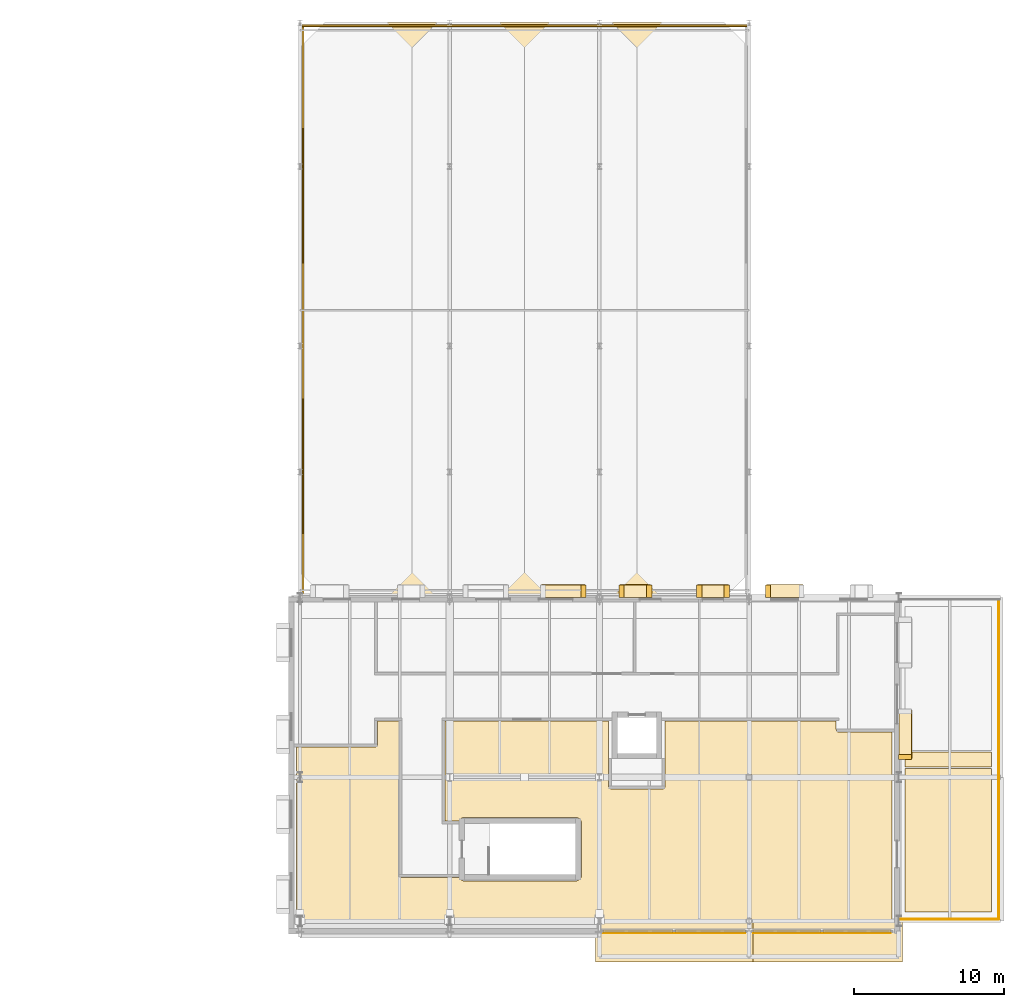
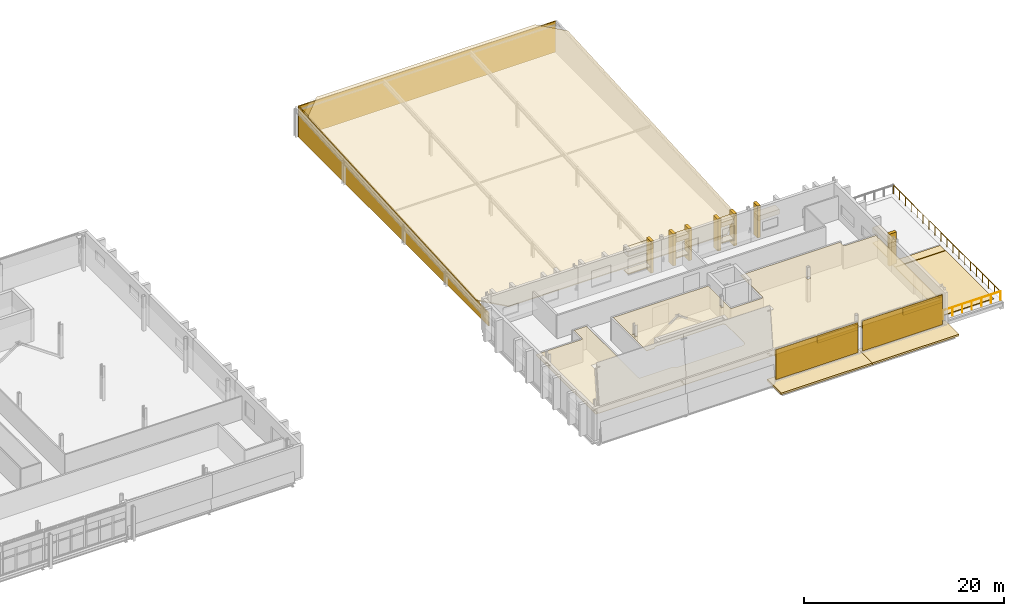
# One storey, part 56 of 57: 28 coverings, 2 railings, 2 shading devices.
"""IFC4 building model written with IfcOpenShell, lengths in metres."""

from ifc_helpers import new_model, si_unit, direction, frame, origin, origin_2d, place, context, subcontext, project, spatial, polyline, rectangle, circle, outline, extrude, material, layer, layer_set, type_object, element, save


model = new_model("IFC4")

# Units and contexts
model_context = context("Model", 3, precision=1e-05, world=origin(), true_north=direction((0.0, 1.0)))
body_context = subcontext(model_context, "Body", "Model", "MODEL_VIEW")
ifc_project = project(units=[si_unit("LENGTHUNIT", "METRE"), si_unit("AREAUNIT", "SQUARE_METRE"), si_unit("VOLUMEUNIT", "CUBIC_METRE"), si_unit("PLANEANGLEUNIT", "RADIAN"), si_unit("MASSUNIT", "GRAM", prefix="KILO")], contexts=[model_context])

# Site, building, storey
site_placement = place(None, origin())
site = spatial("IfcSite", under=ifc_project, at=site_placement, CompositionType="ELEMENT")
building_placement = place(site_placement, origin())
building = spatial("IfcBuilding", under=site, at=building_placement, Name="Zereglee Splitstone Museum", CompositionType="ELEMENT")
storey_placement = place(building_placement, frame((0.0, 0.0, 17.10009765625)))
storey = spatial("IfcBuildingStorey", under=building, at=storey_placement, Name="L03", CompositionType="ELEMENT", Elevation=17.10009765625)

# Coverings
ifc_material_1 = material(Name="Siberian larch acoustic timber ceiling", Category="wood")
ifc_layer_1 = layer(ifc_material_1, 0.06005859375)
ifc_layer_set_1 = layer_set([ifc_layer_1], Name="Siberian larch acoustic timber ceiling")
covering_type_1 = type_object("IfcCoveringType", Name="CLG-01", PredefinedType="CEILING", material=ifc_layer_set_1)
covering_1_placement = place(storey_placement, frame((0.0, 0.0, 2.760009765625)))
element("IfcCovering", 1, at=covering_1_placement, inside=storey, type_object=covering_type_1, Name="Acoustic Ceiling L03-051", PredefinedType="CEILING", context=body_context, shape_type="SweptSolid", body=[
    extrude(outline(polyline([(184.8798828125, 13.3701171875), (195.820068359375, 13.3701171875), (195.820068359375, 9.0), (195.820068359375, 8.9990234375), (195.82080078125, 8.9833984375), (195.821044921875, 8.9814453125), (195.8232421875, 8.9658203125), (195.82373046875, 8.9638671875), (195.827392578125, 8.94873046875), (195.828125, 8.94677734375), (195.833251953125, 8.931884765625), (195.833984375, 8.93017578125), (195.8408203125, 8.916015625), (195.841796875, 8.914306640625), (195.849853515625, 8.90087890625), (195.850830078125, 8.899169921875), (195.8603515625, 8.88671875), (195.861572265625, 8.885009765625), (195.8720703125, 8.873291015625), (195.873291015625, 8.8720703125), (195.885009765625, 8.861572265625), (195.88671875, 8.8603515625), (195.899169921875, 8.850830078125), (195.90087890625, 8.849853515625), (195.914306640625, 8.841796875), (195.916015625, 8.8408203125), (195.93017578125, 8.833984375), (195.931884765625, 8.833251953125), (195.94677734375, 8.828125), (195.94873046875, 8.827392578125), (195.9638671875, 8.82373046875), (195.9658203125, 8.8232421875), (195.9814453125, 8.821044921875), (195.9833984375, 8.82080078125), (195.9990234375, 8.820068359375), (196.0, 8.820068359375), (199.39990234375, 8.820068359375), (199.40087890625, 8.820068359375), (199.416748046875, 8.82080078125), (199.418701171875, 8.821044921875), (199.43408203125, 8.8232421875), (199.43603515625, 8.82373046875), (199.451416015625, 8.827392578125), (199.453125, 8.828125), (199.468017578125, 8.833251953125), (199.4697265625, 8.833984375), (199.48388671875, 8.8408203125), (199.485595703125, 8.841796875), (199.499267578125, 8.849853515625), (199.500732421875, 8.850830078125), (199.513427734375, 8.8603515625), (199.514892578125, 8.861572265625), (199.526611328125, 8.8720703125), (199.528076171875, 8.873291015625), (199.53857421875, 8.885009765625), (199.539794921875, 8.88671875), (199.549072265625, 8.899169921875), (199.55029296875, 8.90087890625), (199.558349609375, 8.914306640625), (199.55908203125, 8.916015625), (199.56591796875, 8.93017578125), (199.566650390625, 8.931884765625), (199.572021484375, 8.94677734375), (199.572509765625, 8.94873046875), (199.576416015625, 8.9638671875), (199.57666015625, 8.9658203125), (199.5791015625, 8.9814453125), (199.5791015625, 8.9833984375), (199.580078125, 8.9990234375), (199.580078125, 9.0), (199.580078125, 13.3701171875), (211.02001953125, 13.3701171875), (211.02001953125, 12.800048828125), (211.02001953125, 12.799072265625), (211.020751953125, 12.783203125), (211.02099609375, 12.781494140625), (211.023193359375, 12.765869140625), (211.023681640625, 12.763916015625), (211.027587890625, 12.748779296875), (211.028076171875, 12.746826171875), (211.033203125, 12.73193359375), (211.0341796875, 12.730224609375), (211.040771484375, 12.716064453125), (211.041748046875, 12.71435546875), (211.0498046875, 12.70068359375), (211.05078125, 12.69921875), (211.060302734375, 12.6865234375), (211.0615234375, 12.68505859375), (211.072021484375, 12.67333984375), (211.073486328125, 12.672119140625), (211.085205078125, 12.66162109375), (211.086669921875, 12.660400390625), (211.09912109375, 12.65087890625), (211.100830078125, 12.64990234375), (211.1142578125, 12.6416015625), (211.115966796875, 12.640869140625), (211.130126953125, 12.634033203125), (211.132080078125, 12.63330078125), (211.146728515625, 12.628173828125), (211.148681640625, 12.62744140625), (211.163818359375, 12.623779296875), (211.166015625, 12.623291015625), (211.181396484375, 12.62109375), (211.183349609375, 12.620849609375), (211.198974609375, 12.6201171875), (211.199951171875, 12.6201171875), (214.739990234375, 12.6201171875), (214.739990234375, -0.340087890625), (175.35791015625, -0.340087890625), (175.35791015625, -0.31005859375), (175.216552734375, -0.31005859375), (175.216552734375, 0.31005859375), (175.35791015625, 0.31005859375), (175.35791015625, 0.35791015625), (175.0419921875, 0.35791015625), (175.0419921875, 0.31005859375), (175.18359375, 0.31005859375), (175.18359375, -0.31005859375), (175.0419921875, -0.31005859375), (175.0419921875, -0.340087890625), (174.9599609375, -0.340087890625), (174.9599609375, 11.6201171875), (180.199951171875, 11.6201171875), (180.200927734375, 11.6201171875), (180.216796875, 11.620849609375), (180.218505859375, 11.62109375), (180.234130859375, 11.623291015625), (180.236083984375, 11.623779296875), (180.251220703125, 11.62744140625), (180.253173828125, 11.628173828125), (180.26806640625, 11.63330078125), (180.269775390625, 11.634033203125), (180.283935546875, 11.640869140625), (180.28564453125, 11.6416015625), (180.29931640625, 11.64990234375), (180.30078125, 11.65087890625), (180.3134765625, 11.660400390625), (180.31494140625, 11.66162109375), (180.32666015625, 11.672119140625), (180.327880859375, 11.67333984375), (180.33837890625, 11.68505859375), (180.339599609375, 11.6865234375), (180.34912109375, 11.69921875), (180.35009765625, 11.70068359375), (180.3583984375, 11.71435546875), (180.359130859375, 11.716064453125), (180.365966796875, 11.730224609375), (180.36669921875, 11.73193359375), (180.371826171875, 11.746826171875), (180.37255859375, 11.748779296875), (180.376220703125, 11.763916015625), (180.376708984375, 11.765869140625), (180.37890625, 11.781494140625), (180.379150390625, 11.783203125), (180.3798828125, 11.799072265625), (180.3798828125, 11.800048828125), (180.3798828125, 13.3701171875), (181.820068359375, 13.3701171875), (181.820068359375, 3.10009765625), (181.820068359375, 3.09912109375), (181.82080078125, 3.083251953125), (181.821044921875, 3.081298828125), (181.8232421875, 3.06591796875), (181.82373046875, 3.06396484375), (181.827392578125, 3.048583984375), (181.828125, 3.046875), (181.833251953125, 3.031982421875), (181.833984375, 3.0302734375), (181.8408203125, 3.01611328125), (181.841796875, 3.014404296875), (181.849853515625, 3.000732421875), (181.850830078125, 2.999267578125), (181.8603515625, 2.986572265625), (181.861572265625, 2.985107421875), (181.8720703125, 2.973388671875), (181.873291015625, 2.971923828125), (181.885009765625, 2.96142578125), (181.88671875, 2.960205078125), (181.899169921875, 2.950927734375), (181.90087890625, 2.94970703125), (181.914306640625, 2.941650390625), (181.916015625, 2.94091796875), (181.93017578125, 2.93408203125), (181.931884765625, 2.933349609375), (181.94677734375, 2.927978515625), (181.94873046875, 2.927490234375), (181.9638671875, 2.923583984375), (181.9658203125, 2.92333984375), (181.9814453125, 2.9208984375), (181.9833984375, 2.9208984375), (181.9990234375, 2.919921875), (182.0, 2.919921875), (185.821044921875, 2.919921875), (185.82958984375, 2.902099609375), (185.850830078125, 2.86669921875), (185.875244140625, 2.83349609375), (185.903076171875, 2.802978515625), (185.93359375, 2.775390625), (185.966796875, 2.750732421875), (186.001953125, 2.7294921875), (186.039306640625, 2.7119140625), (186.078125, 2.697998046875), (186.1181640625, 2.68798828125), (186.15869140625, 2.681884765625), (186.199951171875, 2.679931640625), (193.60009765625, 2.679931640625), (193.64111328125, 2.681884765625), (193.681884765625, 2.68798828125), (193.721923828125, 2.697998046875), (193.7607421875, 2.7119140625), (193.798095703125, 2.7294921875), (193.833251953125, 2.750732421875), (193.866455078125, 2.775390625), (193.89697265625, 2.802978515625), (193.9248046875, 2.83349609375), (193.94921875, 2.86669921875), (193.970458984375, 2.902099609375), (193.988037109375, 2.939208984375), (194.001953125, 2.97802734375), (194.011962890625, 3.01806640625), (194.01806640625, 3.058837890625), (194.02001953125, 3.10009765625), (194.02001953125, 6.5), (194.01806640625, 6.541259765625), (194.011962890625, 6.581787109375), (194.001953125, 6.621826171875), (193.988037109375, 6.66064453125), (193.970458984375, 6.697998046875), (193.94921875, 6.7333984375), (193.9248046875, 6.766357421875), (193.89697265625, 6.797119140625), (193.866455078125, 6.82470703125), (193.833251953125, 6.84912109375), (193.798095703125, 6.870361328125), (193.7607421875, 6.887939453125), (193.721923828125, 6.90185546875), (193.681884765625, 6.911865234375), (193.64111328125, 6.91796875), (193.60009765625, 6.919921875), (186.199951171875, 6.919921875), (186.15869140625, 6.91796875), (186.1181640625, 6.911865234375), (186.078125, 6.90185546875), (186.039306640625, 6.887939453125), (186.001953125, 6.870361328125), (185.966796875, 6.84912109375), (185.93359375, 6.82470703125), (185.903076171875, 6.797119140625), (185.875244140625, 6.766357421875), (185.850830078125, 6.7333984375), (185.82958984375, 6.697998046875), (185.821044921875, 6.679931640625), (184.8798828125, 6.679931640625), (184.8798828125, 13.3701171875)]), holes=[polyline([(195.0419921875, 0.2080078125), (195.0419921875, 0.16796875), (195.185302734375, 0.16796875), (195.185302734375, -0.16796875), (195.0419921875, -0.16796875), (195.0419921875, -0.2080078125), (195.35791015625, -0.2080078125), (195.35791015625, -0.16796875), (195.214599609375, -0.16796875), (195.214599609375, 0.16796875), (195.35791015625, 0.16796875), (195.35791015625, 0.2080078125), (195.0419921875, 0.2080078125)]), polyline([(205.28076171875, -0.195068359375), (205.3173828125, -0.175537109375), (205.349365234375, -0.1494140625), (205.37548828125, -0.1171875), (205.39501953125, -0.080810546875), (205.406982421875, -0.041259765625), (205.4111328125, 0.0), (205.406982421875, 0.041259765625), (205.39501953125, 0.080810546875), (205.37548828125, 0.1171875), (205.349365234375, 0.1494140625), (205.3173828125, 0.175537109375), (205.28076171875, 0.195068359375), (205.2412109375, 0.20703125), (205.199951171875, 0.211181640625), (205.15869140625, 0.20703125), (205.119140625, 0.195068359375), (205.082763671875, 0.175537109375), (205.05078125, 0.1494140625), (205.0244140625, 0.1171875), (205.0048828125, 0.080810546875), (204.992919921875, 0.041259765625), (204.98876953125, 0.0), (204.992919921875, -0.041259765625), (205.0048828125, -0.080810546875), (205.0244140625, -0.1171875), (205.05078125, -0.1494140625), (205.082763671875, -0.175537109375), (205.119140625, -0.195068359375), (205.15869140625, -0.20703125), (205.199951171875, -0.211181640625), (205.2412109375, -0.20703125), (205.28076171875, -0.195068359375)]), polyline([(185.0419921875, 0.282958984375), (185.0419921875, 0.238037109375), (185.1845703125, 0.238037109375), (185.1845703125, -0.238037109375), (185.0419921875, -0.238037109375), (185.0419921875, -0.282958984375), (185.35791015625, -0.282958984375), (185.35791015625, -0.238037109375), (185.215576171875, -0.238037109375), (185.215576171875, 0.238037109375), (185.35791015625, 0.238037109375), (185.35791015625, 0.282958984375), (185.0419921875, 0.282958984375)]), polyline([(175.35791015625, 9.93310546875), (175.0419921875, 9.93310546875), (175.0419921875, 9.885986328125), (175.18408203125, 9.885986328125), (175.18408203125, 9.31396484375), (175.0419921875, 9.31396484375), (175.0419921875, 9.26708984375), (175.35791015625, 9.26708984375), (175.35791015625, 9.31396484375), (175.216064453125, 9.31396484375), (175.216064453125, 9.885986328125), (175.35791015625, 9.885986328125), (175.35791015625, 9.93310546875)]), polyline([(185.0419921875, 9.85791015625), (185.0419921875, 9.81396484375), (185.184814453125, 9.81396484375), (185.184814453125, 9.385986328125), (185.0419921875, 9.385986328125), (185.0419921875, 9.342041015625), (185.35791015625, 9.342041015625), (185.35791015625, 9.385986328125), (185.215087890625, 9.385986328125), (185.215087890625, 9.81396484375), (185.35791015625, 9.81396484375), (185.35791015625, 9.85791015625), (185.0419921875, 9.85791015625)]), polyline([(195.0419921875, 9.7880859375), (195.0419921875, 9.74951171875), (195.185791015625, 9.74951171875), (195.185791015625, 9.450439453125), (195.0419921875, 9.450439453125), (195.0419921875, 9.412109375), (195.35791015625, 9.412109375), (195.35791015625, 9.450439453125), (195.214111328125, 9.450439453125), (195.214111328125, 9.74951171875), (195.35791015625, 9.74951171875), (195.35791015625, 9.7880859375), (195.0419921875, 9.7880859375)]), polyline([(205.01708984375, 9.4169921875), (205.383056640625, 9.4169921875), (205.383056640625, 9.782958984375), (205.01708984375, 9.782958984375), (205.01708984375, 9.4169921875)])]), origin(), (0.0, 0.0, 1.0), 0.059814453125),
])
ifc_material_2 = material(Name="Honed Gobi pale limestone stringcourse and soffit cladding", Category="masonry")
ifc_layer_2 = layer(ifc_material_2, 0.070068359375)
ifc_layer_set_2 = layer_set([ifc_layer_2], Name="Honed Gobi pale limestone stringcourse and soffit cladding")
covering_type_2 = type_object("IfcCoveringType", Name="CL-02", PredefinedType="CLADDING", material=ifc_layer_set_2)
for number, where, z_axis, x_axis, name in (
    (2, (197.783203125, -0.679931640625, 2.864990234375), (0.0, 0.0, 1.0), (1.0, 0.0, 0.0), "Mughal Carved Clerestory Jaali Frieze RC4-CW-L03-112-1"),
    (3, (202.613525390625, -0.679931640625, 2.844970703125), (0.0, 0.0, 1.0), (1.0, 0.0, 0.0), "Mughal Carved Clerestory Jaali Frieze RC4-CW-L03-112-2"),
):
    element("IfcCovering", number, at=place(storey_placement, frame(where, z_axis=z_axis, x_axis=x_axis)), inside=storey, type_object=covering_type_2, Name=name, PredefinedType="CLADDING", context=body_context, shape_type="SweptSolid", body=[
        extrude(rectangle(XDim=4.669921875, YDim=0.239990234375, at=origin_2d()), origin(), (0.0, 0.0, 1.0), 0.75),
    ])
for number, where, z_axis, x_axis, name in (
    (4, (207.718994140625, -0.679931640625, 2.804931640625), (0.0, 0.0, 1.0), (1.0, 0.0, 0.0), "Mughal Carved Clerestory Jaali Frieze RC4-CW-L03-113-1"),
    (5, (212.414306640625, -0.679931640625, 2.784912109375), (0.0, 0.0, 1.0), (1.0, 0.0, 0.0), "Mughal Carved Clerestory Jaali Frieze RC4-CW-L03-113-2"),
):
    element("IfcCovering", number, at=place(storey_placement, frame(where, z_axis=z_axis, x_axis=x_axis)), inside=storey, type_object=covering_type_2, Name=name, PredefinedType="CLADDING", context=body_context, shape_type="SweptSolid", body=[
        extrude(rectangle(XDim=4.5400390625, YDim=0.239990234375, at=origin_2d()), origin(), (0.0, 0.0, 1.0), 0.75),
    ])
covering_2_placement = place(storey_placement, frame((215.625, 10.9599609375, 0.0), z_axis=(0.0, 0.0, 1.0), x_axis=(0.0, 1.0, 0.0)))
element("IfcCovering", 6, at=covering_2_placement, inside=storey, type_object=covering_type_2, Name="Mughal Window Reveal Stone Pilaster L03-0105L", PredefinedType="CLADDING", context=body_context, shape_type="SweptSolid", body=[
    extrude(rectangle(XDim=0.340087890625, YDim=0.860107421875, at=origin_2d()), origin(), (0.0, 0.0, 1.0), 3.89990234375),
])
covering_3_placement = place(storey_placement, frame((215.635009765625, 12.47998046875, 0.759765625), z_axis=(0.0, 0.0, 1.0), x_axis=(0.0, 1.0, 0.0)))
element("IfcCovering", 7, at=covering_3_placement, inside=storey, type_object=covering_type_2, Name="Carved Limestone Window Sill L03-0105", PredefinedType="CLADDING", context=body_context, shape_type="SweptSolid", body=[
    extrude(rectangle(XDim=3.239990234375, YDim=0.840087890625, at=origin_2d()), origin(), (0.0, 0.0, 1.0), 0.1201171875),
])
for number, where, z_axis, x_axis, name in (
    (8, (206.4599609375, 22.02490234375, 0.0), (0.0, 0.0, 1.0), (-1.0, 0.0, 0.0), "Mughal Window Reveal Stone Pilaster L03-0108R"),
    (9, (203.7099609375, 22.02490234375, 0.0), (0.0, 0.0, 1.0), (-1.0, 0.0, 0.0), "Mughal Window Reveal Stone Pilaster L03-0109L"),
    (10, (201.8701171875, 22.02490234375, 0.0), (0.0, 0.0, 1.0), (-1.0, 0.0, 0.0), "Mughal Window Reveal Stone Pilaster L03-0109R"),
):
    element("IfcCovering", number, at=place(storey_placement, frame(where, z_axis=z_axis, x_axis=x_axis)), inside=storey, type_object=covering_type_2, Name=name, PredefinedType="CLADDING", context=body_context, shape_type="SweptSolid", body=[
        extrude(rectangle(XDim=0.340087890625, YDim=0.860107421875, at=origin_2d()), origin(), (0.0, 0.0, 1.0), 3.89990234375),
    ])
covering_4_placement = place(storey_placement, frame((202.7900390625, 22.034912109375, 0.759765625), z_axis=(0.0, 0.0, 1.0), x_axis=(-1.0, 0.0, 0.0)))
element("IfcCovering", 11, at=covering_4_placement, inside=storey, type_object=covering_type_2, Name="Carved Limestone Window Sill L03-0109", PredefinedType="CLADDING", context=body_context, shape_type="SweptSolid", body=[
    extrude(rectangle(XDim=2.0400390625, YDim=0.840087890625, at=origin_2d()), origin(), (0.0, 0.0, 1.0), 0.1201171875),
])
for number, where, z_axis, x_axis, name in (
    (12, (198.530029296875, 22.02490234375, 0.0), (0.0, 0.0, 1.0), (-1.0, 0.0, 0.0), "Mughal Window Reveal Stone Pilaster L03-0110L"),
    (13, (196.68994140625, 22.02490234375, 0.0), (0.0, 0.0, 1.0), (-1.0, 0.0, 0.0), "Mughal Window Reveal Stone Pilaster L03-0110R"),
):
    element("IfcCovering", number, at=place(storey_placement, frame(where, z_axis=z_axis, x_axis=x_axis)), inside=storey, type_object=covering_type_2, Name=name, PredefinedType="CLADDING", context=body_context, shape_type="SweptSolid", body=[
        extrude(rectangle(XDim=0.340087890625, YDim=0.860107421875, at=origin_2d()), origin(), (0.0, 0.0, 1.0), 3.89990234375),
    ])
covering_5_placement = place(storey_placement, frame((197.610107421875, 22.034912109375, 0.759765625), z_axis=(0.0, 0.0, 1.0), x_axis=(-1.0, 0.0, 0.0)))
element("IfcCovering", 14, at=covering_5_placement, inside=storey, type_object=covering_type_2, Name="Carved Limestone Window Sill L03-0110", PredefinedType="CLADDING", context=body_context, shape_type="SweptSolid", body=[
    extrude(rectangle(XDim=2.0400390625, YDim=0.840087890625, at=origin_2d()), origin(), (0.0, 0.0, 1.0), 0.1201171875),
])
covering_6_placement = place(storey_placement, frame((194.135009765625, 22.02490234375, 0.0), z_axis=(0.0, 0.0, 1.0), x_axis=(-1.0, 0.0, 0.0)))
element("IfcCovering", 15, at=covering_6_placement, inside=storey, type_object=covering_type_2, Name="Mughal Window Reveal Stone Pilaster L03-0111L", PredefinedType="CLADDING", context=body_context, shape_type="SweptSolid", body=[
    extrude(rectangle(XDim=0.340087890625, YDim=0.860107421875, at=origin_2d()), origin(), (0.0, 0.0, 1.0), 3.89990234375),
])
covering_7_placement = place(storey_placement, frame((192.7900390625, 22.034912109375, 0.759765625), z_axis=(0.0, 0.0, 1.0), x_axis=(-1.0, 0.0, 0.0)))
element("IfcCovering", 16, at=covering_7_placement, inside=storey, type_object=covering_type_2, Name="Carved Limestone Window Sill L03-0111", PredefinedType="CLADDING", context=body_context, shape_type="SweptSolid", body=[
    extrude(rectangle(XDim=2.889892578125, YDim=0.840087890625, at=origin_2d()), origin(), (0.0, 0.0, 1.0), 0.1201171875),
])
ifc_material_3 = material(Name="Honed Khoroo red sandstone ventilated rainscreen", Category="masonry")
ifc_layer_3 = layer(ifc_material_3, 0.080078125)
ifc_layer_set_3 = layer_set([ifc_layer_3], Name="Honed Khoroo red sandstone ventilated rainscreen")
covering_type_3 = type_object("IfcCoveringType", Name="CL-01", PredefinedType="CLADDING", material=ifc_layer_set_3)
covering_8_placement = place(storey_placement, frame((215.635009765625, 12.47998046875, 2.159912109375), z_axis=(0.0, 0.0, 1.0), x_axis=(0.0, 1.0, 0.0)))
element("IfcCovering", 17, at=covering_8_placement, inside=storey, type_object=covering_type_3, Name="Pointed-Arch Mughal Window Hood L03-0105", PredefinedType="CLADDING", context=body_context, shape_type="SweptSolid", body=[
    extrude(rectangle(XDim=3.239990234375, YDim=0.860107421875, at=origin_2d()), origin(), (0.0, 0.0, 1.0), 0.580078125),
])
covering_9_placement = place(storey_placement, frame((207.580078125, 22.034912109375, 2.059814453125), z_axis=(0.0, 0.0, 1.0), x_axis=(-1.0, 0.0, 0.0)))
element("IfcCovering", 18, at=covering_9_placement, inside=storey, type_object=covering_type_3, Name="Pointed-Arch Mughal Window Hood L03-0108", PredefinedType="CLADDING", context=body_context, shape_type="SweptSolid", body=[
    extrude(rectangle(XDim=2.43994140625, YDim=0.860107421875, at=origin_2d()), origin(), (0.0, 0.0, 1.0), 0.580078125),
])
for number, where, z_axis, x_axis, name in (
    (19, (202.7900390625, 22.034912109375, 2.759765625), (0.0, 0.0, 1.0), (-1.0, 0.0, 0.0), "Pointed-Arch Mughal Window Hood L03-0109"),
    (20, (197.610107421875, 22.034912109375, 2.759765625), (0.0, 0.0, 1.0), (-1.0, 0.0, 0.0), "Pointed-Arch Mughal Window Hood L03-0110"),
):
    element("IfcCovering", number, at=place(storey_placement, frame(where, z_axis=z_axis, x_axis=x_axis)), inside=storey, type_object=covering_type_3, Name=name, PredefinedType="CLADDING", context=body_context, shape_type="SweptSolid", body=[
        extrude(rectangle(XDim=2.0400390625, YDim=0.860107421875, at=origin_2d()), origin(), (0.0, 0.0, 1.0), 0.580078125),
    ])
covering_10_placement = place(storey_placement, frame((192.7900390625, 22.034912109375, 2.9599609375), z_axis=(0.0, 0.0, 1.0), x_axis=(-1.0, 0.0, 0.0)))
element("IfcCovering", 21, at=covering_10_placement, inside=storey, type_object=covering_type_3, Name="Pointed-Arch Mughal Window Hood L03-0111", PredefinedType="CLADDING", context=body_context, shape_type="SweptSolid", body=[
    extrude(rectangle(XDim=2.889892578125, YDim=0.860107421875, at=origin_2d()), origin(), (0.0, 0.0, 1.0), 0.580078125),
])
covering_11_placement = place(storey_placement, frame((175.35009765625, 59.85009765625, 3.766357421875), z_axis=(0.0, 1.0, 0.0), x_axis=(1.0, 0.0, 0.0)))
element("IfcCovering", 22, at=covering_11_placement, inside=storey, type_object=covering_type_3, Name="Raked Attic Split-Rock Cladding RF-V4 N", PredefinedType="CLADDING", context=body_context, shape_type="SweptSolid", body=[
    extrude(outline(polyline([(0.0, 0.0), (29.699951171875, 0.0), (29.699951171875, 3.766357421875), (0.0, 3.766357421875), (0.0, 0.0)])), origin(), (0.0, 0.0, -1.0), 0.1201171875),
])
covering_12_placement = place(storey_placement, frame((175.35009765625, 21.75, 1.58349609375), z_axis=(-1.0, 0.0, 0.0), x_axis=(0.0, 0.9983627969, 0.057199001442)))
element("IfcCovering", 23, at=covering_12_placement, inside=storey, type_object=covering_type_3, Name="Raked Attic Split-Rock Cladding RF-V4 W", PredefinedType="CLADDING", context=body_context, shape_type="SweptSolid", body=[
    extrude(outline(polyline([(0.0, 0.0), (38.1625775465129, 4.440892098500626e-16), (37.94714566290684, 3.7601911298282227), (-0.09057439535028779, 1.5809035890364846), (0.0, 0.0)])), origin(), (0.0, 0.0, -1.0), 0.1201171875),
])

# Railings
ifc_material_4 = material(Name="Brushed stainless steel 1.4404 post-and-rail guard", Category="steel")
railing_type = type_object("IfcRailingType", Name="GR-01", PredefinedType="GUARDRAIL", material=ifc_material_4)
railing_1_placement = place(storey_placement, frame((215.280029296875, 0.1201171875, 0.0)))
element("IfcRailing", 24, at=railing_1_placement, inside=storey, type_object=railing_type, Name="Outdoor Terrace Guard TER-L03-S2-1", PredefinedType="GUARDRAIL", context=body_context, shape_type="SweptSolid", body=[
    extrude(circle(Radius=0.02392578125, at=origin_2d()), frame((0.0, 0.0, 1.076416015625), z_axis=(1.0, 0.0, 0.0), x_axis=(0.0, 1.0, 0.0)), (0.0, 0.0, 1.0), 6.599853515625),
    extrude(circle(Radius=0.02099609375, at=origin_2d()), origin(), (0.0, 0.0, 1.0), 1.052001953125),
    extrude(circle(Radius=0.02099609375, at=origin_2d()), frame((1.10009765625, 0.0, 0.0)), (0.0, 0.0, 1.0), 1.052001953125),
    extrude(circle(Radius=0.02099609375, at=origin_2d()), frame((2.199951171875, 0.0, 0.0)), (0.0, 0.0, 1.0), 1.052001953125),
    extrude(circle(Radius=0.02099609375, at=origin_2d()), frame((3.2998046875, 0.0, 0.0)), (0.0, 0.0, 1.0), 1.052001953125),
    extrude(circle(Radius=0.02099609375, at=origin_2d()), frame((4.39990234375, 0.0, 0.0)), (0.0, 0.0, 1.0), 1.052001953125),
    extrude(circle(Radius=0.02099609375, at=origin_2d()), frame((5.5, 0.0, 0.0)), (0.0, 0.0, 1.0), 1.052001953125),
    extrude(circle(Radius=0.02099609375, at=origin_2d()), frame((6.599853515625, 0.0, 0.0)), (0.0, 0.0, 1.0), 1.052001953125),
])
railing_2_placement = place(storey_placement, frame((221.8798828125, 0.1201171875, 0.0)))
element("IfcRailing", 25, at=railing_2_placement, inside=storey, type_object=railing_type, Name="Outdoor Terrace Guard TER-L03-S2-2", PredefinedType="GUARDRAIL", context=body_context, shape_type="SweptSolid", body=[
    extrude(circle(Radius=0.02392578125, at=origin_2d()), frame((0.0, 0.0, 1.076416015625), z_axis=(0.0, 1.0, 0.0), x_axis=(-1.0, 0.0, 0.0)), (0.0, 0.0, 1.0), 21.35986328125),
    extrude(circle(Radius=0.02099609375, at=origin_2d()), origin(), (0.0, 0.0, 1.0), 1.052001953125),
    extrude(circle(Radius=0.02099609375, at=origin_2d()), frame((0.0, 1.186767578125, 0.0)), (0.0, 0.0, 1.0), 1.052001953125),
    extrude(circle(Radius=0.02099609375, at=origin_2d()), frame((0.0, 2.373291015625, 0.0)), (0.0, 0.0, 1.0), 1.052001953125),
    extrude(circle(Radius=0.02099609375, at=origin_2d()), frame((0.0, 3.56005859375, 0.0)), (0.0, 0.0, 1.0), 1.052001953125),
    extrude(circle(Radius=0.02099609375, at=origin_2d()), frame((0.0, 4.74658203125, 0.0)), (0.0, 0.0, 1.0), 1.052001953125),
    extrude(circle(Radius=0.02099609375, at=origin_2d()), frame((0.0, 5.933349609375, 0.0)), (0.0, 0.0, 1.0), 1.052001953125),
    extrude(circle(Radius=0.02099609375, at=origin_2d()), frame((0.0, 7.119873046875, 0.0)), (0.0, 0.0, 1.0), 1.052001953125),
    extrude(circle(Radius=0.02099609375, at=origin_2d()), frame((0.0, 8.306640625, 0.0)), (0.0, 0.0, 1.0), 1.052001953125),
    extrude(circle(Radius=0.02099609375, at=origin_2d()), frame((0.0, 9.4931640625, 0.0)), (0.0, 0.0, 1.0), 1.052001953125),
    extrude(circle(Radius=0.02099609375, at=origin_2d()), frame((0.0, 10.679931640625, 0.0)), (0.0, 0.0, 1.0), 1.052001953125),
    extrude(circle(Radius=0.02099609375, at=origin_2d()), frame((0.0, 11.86669921875, 0.0)), (0.0, 0.0, 1.0), 1.052001953125),
    extrude(circle(Radius=0.02099609375, at=origin_2d()), frame((0.0, 13.05322265625, 0.0)), (0.0, 0.0, 1.0), 1.052001953125),
    extrude(circle(Radius=0.02099609375, at=origin_2d()), frame((0.0, 14.239990234375, 0.0)), (0.0, 0.0, 1.0), 1.052001953125),
    extrude(circle(Radius=0.02099609375, at=origin_2d()), frame((0.0, 15.426513671875, 0.0)), (0.0, 0.0, 1.0), 1.052001953125),
    extrude(circle(Radius=0.02099609375, at=origin_2d()), frame((0.0, 16.61328125, 0.0)), (0.0, 0.0, 1.0), 1.052001953125),
    extrude(circle(Radius=0.02099609375, at=origin_2d()), frame((0.0, 17.7998046875, 0.0)), (0.0, 0.0, 1.0), 1.052001953125),
    extrude(circle(Radius=0.02099609375, at=origin_2d()), frame((0.0, 18.986572265625, 0.0)), (0.0, 0.0, 1.0), 1.052001953125),
    extrude(circle(Radius=0.02099609375, at=origin_2d()), frame((0.0, 20.173095703125, 0.0)), (0.0, 0.0, 1.0), 1.052001953125),
    extrude(circle(Radius=0.02099609375, at=origin_2d()), frame((0.0, 21.35986328125, 0.0)), (0.0, 0.0, 1.0), 1.052001953125),
])

# Shading devices
ifc_material_5 = material(Name="Patinated architectural bronze CuSn8 geometric jali screen")
ifc_layer_4 = layer(ifc_material_5, 0.06005859375)
ifc_layer_set_4 = layer_set([ifc_layer_4], Name="Patinated architectural bronze CuSn8 geometric jali screen")
shading_device_type = type_object("IfcShadingDeviceType", Name="JL-01", PredefinedType="USERDEFINED", material=ifc_layer_set_4)
shading_device_1_placement = place(storey_placement, frame((195.4580078125, -0.760009765625, 0.119873046875), z_axis=(0.0, -1.0, 0.0), x_axis=(1.0, 0.0, 0.0)))
element("IfcShadingDevice", 26, at=shading_device_1_placement, inside=storey, type_object=shading_device_type, Name="Bronze Mughal Jali Screen 29", ObjectType="SCREEN", PredefinedType="USERDEFINED", context=body_context, shape_type="SweptSolid", body=[
    extrude(outline(polyline([(0.0, 0.0), (9.480712890625, 0.0), (9.480712890625, 3.659912109375), (0.0, 3.659912109375), (0.0, 0.0)])), origin(), (0.0, 0.0, 1.0), 0.06005859375),
])
shading_device_2_placement = place(storey_placement, frame((205.461181640625, -0.760009765625, 0.119873046875), z_axis=(0.0, -1.0, 0.0), x_axis=(1.0, 0.0, 0.0)))
element("IfcShadingDevice", 27, at=shading_device_2_placement, inside=storey, type_object=shading_device_type, Name="Bronze Mughal Jali Screen 30", ObjectType="SCREEN", PredefinedType="USERDEFINED", context=body_context, shape_type="SweptSolid", body=[
    extrude(outline(polyline([(0.0, 0.0), (9.2109375, 0.0), (9.2109375, 3.659912109375), (0.0, 3.659912109375), (0.0, 0.0)])), origin(), (0.0, 0.0, 1.0), 0.06005859375),
])

# Coverings
ifc_material_6 = material(Name="Carved pale Gobi limestone charbagh channel trim", Category="masonry")
ifc_layer_5 = layer(ifc_material_6, 0.080078125)
ifc_layer_set_5 = layer_set([ifc_layer_5], Name="Carved pale Gobi limestone charbagh channel trim")
covering_type_4 = type_object("IfcCoveringType", Name="CHB-01", PredefinedType="FLOORING", material=ifc_layer_set_5)
covering_13_placement = place(storey_placement, origin())
element("IfcCovering", 28, at=covering_13_placement, inside=storey, type_object=covering_type_4, Name="Charbagh Stone Terrace Parterre CHB-TER-S2", PredefinedType="FLOORING", context=body_context, shape_type="SweptSolid", body=[
    extrude(outline(polyline([(215.60009765625, 10.300048828125), (221.39990234375, 10.300048828125), (221.39990234375, 11.300048828125), (215.60009765625, 11.300048828125), (215.60009765625, 10.300048828125)])), origin(), (0.0, 0.0, 1.0), 0.079833984375),
])
ifc_material_7 = material(Name="Flamed Gobi grey granite terrace paving", Category="masonry")
ifc_layer_6 = layer(ifc_material_7, 0.10009765625)
ifc_layer_set_6 = layer_set([ifc_layer_6], Name="Flamed Gobi grey granite terrace paving")
covering_type_5 = type_object("IfcCoveringType", Name="PAV-01", PredefinedType="FLOORING", material=ifc_layer_set_6)
covering_14_placement = place(storey_placement, origin())
element("IfcCovering", 29, at=covering_14_placement, inside=storey, type_object=covering_type_5, Name="Charbagh Stone Terrace Parterre PAV-TER-S2-S", PredefinedType="FLOORING", context=body_context, shape_type="SweptSolid", body=[
    extrude(outline(polyline([(215.60009765625, 0.60009765625), (221.39990234375, 0.60009765625), (221.39990234375, 10.199951171875), (215.60009765625, 10.199951171875), (215.60009765625, 0.60009765625)])), origin(), (0.0, 0.0, 1.0), 0.099853515625),
])
ifc_material_8 = material(Name="Honed Khoroo red sandstone chhajja eave coping", Category="masonry")
ifc_layer_7 = layer(ifc_material_8, 0.110107421875)
ifc_layer_set_7 = layer_set([ifc_layer_7], Name="Honed Khoroo red sandstone chhajja eave coping")
covering_type_6 = type_object("IfcCoveringType", Name="RF-C2", PredefinedType="ROOFING", material=ifc_layer_set_7)
covering_15_placement = place(storey_placement, frame((0.0, 0.0, -0.375)))
element("IfcCovering", 30, at=covering_15_placement, inside=storey, type_object=covering_type_6, Name="Mughal Pishtaq Carved Cornice Deck PSQ-SV3-1", PredefinedType="ROOFING", context=body_context, shape_type="SweptSolid", body=[
    extrude(outline(polyline([(194.949951171875, -2.75), (205.449951171875, -2.75), (205.449951171875, 0.050048828125), (194.949951171875, 0.050048828125), (194.949951171875, -2.75)])), origin(), (0.0, 0.0, 1.0), 0.219970703125),
])
covering_16_placement = place(storey_placement, frame((0.0, 0.0, -0.375)))
element("IfcCovering", 31, at=covering_16_placement, inside=storey, type_object=covering_type_6, Name="Mughal Pishtaq Carved Cornice Deck PSQ-SV3-2", PredefinedType="ROOFING", context=body_context, shape_type="SweptSolid", body=[
    extrude(outline(polyline([(204.949951171875, -2.75), (215.449951171875, -2.75), (215.449951171875, 0.050048828125), (204.949951171875, 0.050048828125), (204.949951171875, -2.75)])), origin(), (0.0, 0.0, 1.0), 0.219970703125),
])
ifc_material_9 = material(Name="Pre-weathered quartz-zinc standing-seam roofing on rigid PIR insulation")
ifc_layer_8 = layer(ifc_material_9, 0.1201171875)
ifc_layer_set_8 = layer_set([ifc_layer_8], Name="Pre-weathered quartz-zinc standing-seam roofing on rigid PIR insulation")
covering_type_7 = type_object("IfcCoveringType", Name="RF-C1", PredefinedType="ROOFING", material=ifc_layer_set_8)
covering_17_placement = place(storey_placement, frame((177.60009765625, 21.60009765625, 1.764892578125), z_axis=(0.0, -0.057196921683, 0.998362916053), x_axis=(1.0, 0.0, 0.0)))
element("IfcCovering", 32, at=covering_17_placement, inside=storey, type_object=covering_type_7, Name="Standing-Seam Zinc Roof Covering RF-V4", PredefinedType="ROOFING", context=body_context, shape_type="SweptSolid", body=[
    extrude(outline(polyline([(0.0, 0.0), (25.199951171875, 0.0), (27.599853515625, 2.4038352860618173), (27.599853515625, 36.0590336288817), (25.199951171875, 38.46286891494352), (0.0, 38.46286891494352), (-2.400146484375, 36.0590336288817), (-2.400146484375, 2.4038352860618173), (0.0, 0.0)])), origin(), (0.0, 0.0, -1.0), 0.1201171875),
])

save(model, "model.ifc")
